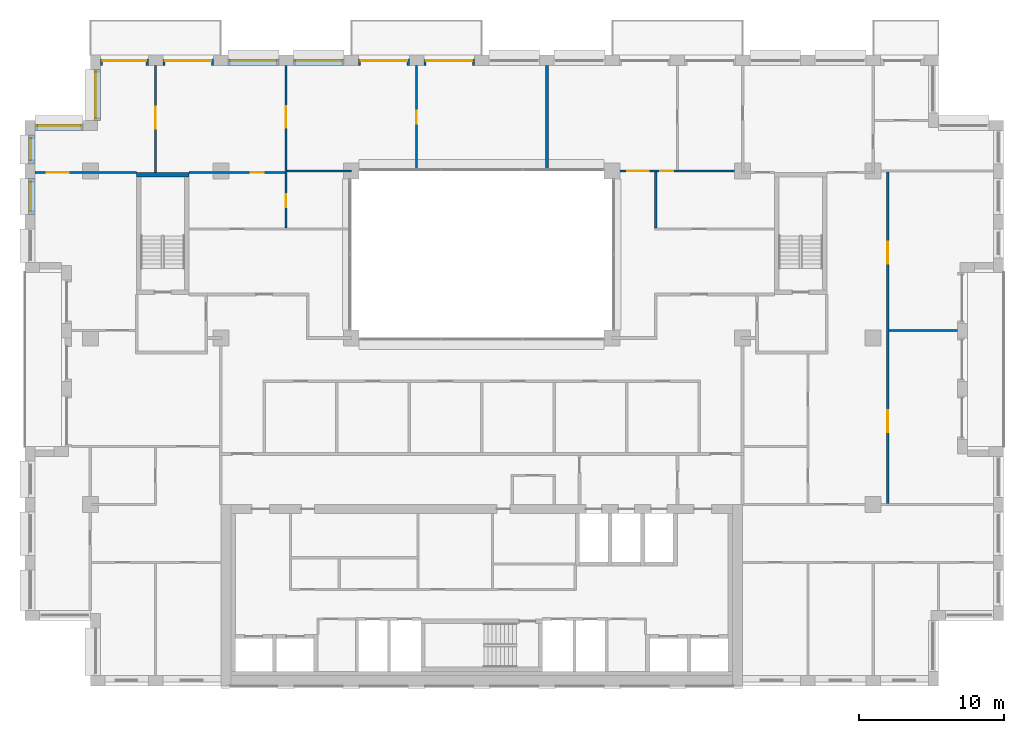
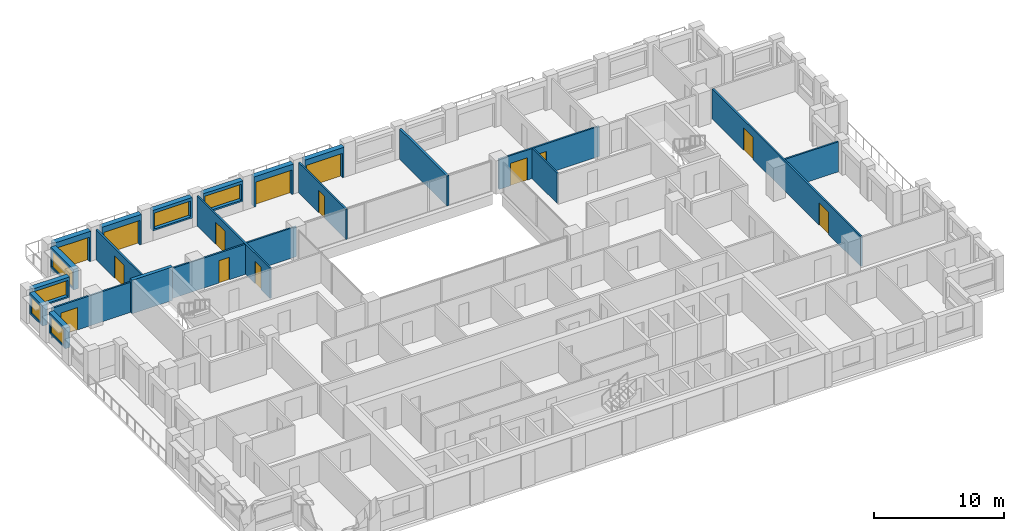
# One storey, part 12 of 15: 22 walls, 14 doors, 6 windows, 20 openings.
"""IFC4 building model written with IfcOpenShell, lengths in metres."""

from ifc_helpers import new_model, si_unit, direction, frame, frame_2d, origin, place, context, subcontext, project, spatial, rectangle, extrude, material, layer, layer_set, type_object, element, fill, save


model = new_model("IFC4")

# Units and contexts
model_context = context("Model", 3, precision=1e-05, world=origin(), true_north=direction((0.0, 1.0)))
body_context = subcontext(model_context, "Body", "Model", "MODEL_VIEW")
ifc_project = project(units=[si_unit("LENGTHUNIT", "METRE"), si_unit("AREAUNIT", "SQUARE_METRE"), si_unit("VOLUMEUNIT", "CUBIC_METRE"), si_unit("PLANEANGLEUNIT", "RADIAN"), si_unit("MASSUNIT", "GRAM", prefix="KILO")], contexts=[model_context])

# Site, building, storey
site_placement = place(None, origin())
site = spatial("IfcSite", under=ifc_project, at=site_placement, CompositionType="ELEMENT")
building_placement = place(site_placement, origin())
building = spatial("IfcBuilding", under=site, at=building_placement, Name="Brigalow Station Residences", CompositionType="ELEMENT")
storey_placement = place(building_placement, frame((0.0, 0.0, 157.050048828125)))
storey = spatial("IfcBuildingStorey", under=building, at=storey_placement, Name="L45", CompositionType="ELEMENT", Elevation=157.050048828125)

# Wall, opening, door
ifc_material_1 = material(Name="Clay brick masonry", Category="masonry")
ifc_layer_1 = layer(ifc_material_1, 0.449951171875)
ifc_layer_set_1 = layer_set([ifc_layer_1], Name="BRICK INFILL WALL 450")
wall_type_1 = type_object("IfcWallType", Name="BRICK INFILL WALL 450", PredefinedType="SOLIDWALL", material=ifc_layer_set_1)
wall_1_placement = place(storey_placement, frame((35.5, 43.02490234375, 0.0), z_axis=(0.0, 0.0, 1.0), x_axis=(-1.0, 0.0, 0.0)))
wall_1 = element("IfcWall", 1, at=wall_1_placement, inside=storey, type_object=wall_type_1, Name="L45/ewall/W-L45-29", PredefinedType="SOLIDWALL", context=body_context, shape_type="SweptSolid", body=[
    extrude(rectangle(XDim=3.5, YDim=0.449951171875, at=frame_2d((1.75, 0.0))), origin(), (0.0, 0.0, 1.0), 2.829833984375),
])
opening_1_placement = place(wall_1_placement, frame((0.14990234375, 0.0, 0.0)))
opening_1 = element("IfcOpeningElement", 2, at=opening_1_placement, cuts=wall_1, Name="Opening D-B3200", PredefinedType="OPENING", context=body_context, shape_type="SweptSolid", body=[
    extrude(rectangle(XDim=3.199951171875, YDim=2.300048828125, at=frame_2d((1.60009765625, 1.14990234375))), frame((0.0, 0.23486328125, 0.0), z_axis=(0.0, -1.0, 0.0), x_axis=(1.0, 0.0, 0.0)), (0.0, 0.0, 1.0), 0.469970703125),
])
ifc_material_2 = material(Name="Anodised aluminium frame with double glazing", Category="aluminium")
door_type_1 = type_object("IfcDoorType", Name="BALCONY SLIDING DOOR 3200x2300", OperationType="SLIDING_TO_LEFT", PredefinedType="DOOR", material=ifc_material_2)
door_1_placement = place(opening_1_placement, origin())
door_1 = element("IfcDoor", 3, at=door_1_placement, inside=storey, type_object=door_type_1, Name="L45/balcony-door/W-L45-29", OperationType="SLIDING_TO_LEFT", OverallHeight=2.300048828125, OverallWidth=3.199951171875, PredefinedType="DOOR", context=body_context, shape_type="SweptSolid", body=[
    extrude(rectangle(XDim=3.199951171875, YDim=2.300048828125, at=frame_2d((1.60009765625, 1.14990234375))), frame((0.0, -0.06982421875, 0.0), z_axis=(0.0, -1.0, 0.0), x_axis=(1.0, 0.0, 0.0)), (0.0, 0.0, 1.0), 0.050048828125),
])
fill(opening_1, door_1)

wall_2_placement = place(storey_placement, frame((31.0, 43.02490234375, 0.0), z_axis=(0.0, 0.0, 1.0), x_axis=(-1.0, 0.0, 0.0)))
wall_2 = element("IfcWall", 4, at=wall_2_placement, inside=storey, type_object=wall_type_1, Name="L45/ewall/W-L45-30", PredefinedType="SOLIDWALL", context=body_context, shape_type="SweptSolid", body=[
    extrude(rectangle(XDim=3.5, YDim=0.449951171875, at=frame_2d((1.75, 0.0))), origin(), (0.0, 0.0, 1.0), 2.829833984375),
])
opening_2_placement = place(wall_2_placement, frame((0.14990234375, 0.0, 0.0)))
opening_2 = element("IfcOpeningElement", 5, at=opening_2_placement, cuts=wall_2, Name="Opening D-B3200", PredefinedType="OPENING", context=body_context, shape_type="SweptSolid", body=[
    extrude(rectangle(XDim=3.199951171875, YDim=2.300048828125, at=frame_2d((1.60009765625, 1.14990234375))), frame((0.0, 0.23486328125, 0.0), z_axis=(0.0, -1.0, 0.0), x_axis=(1.0, 0.0, 0.0)), (0.0, 0.0, 1.0), 0.469970703125),
])
door_2_placement = place(opening_2_placement, origin())
door_2 = element("IfcDoor", 6, at=door_2_placement, inside=storey, type_object=door_type_1, Name="L45/balcony-door/W-L45-30", OperationType="SLIDING_TO_LEFT", OverallHeight=2.300048828125, OverallWidth=3.199951171875, PredefinedType="DOOR", context=body_context, shape_type="SweptSolid", body=[
    extrude(rectangle(XDim=3.199951171875, YDim=2.300048828125, at=frame_2d((1.60009765625, 1.14990234375))), frame((0.0, -0.06982421875, 0.0), z_axis=(0.0, -1.0, 0.0), x_axis=(1.0, 0.0, 0.0)), (0.0, 0.0, 1.0), 0.050048828125),
])
fill(opening_2, door_2)

# Wall, opening, window
wall_3_placement = place(storey_placement, frame((26.5, 43.02490234375, 0.89990234375), z_axis=(0.0, 0.0, 1.0), x_axis=(-1.0, 0.0, 0.0)))
wall_3 = element("IfcWall", 7, at=wall_3_placement, inside=storey, type_object=wall_type_1, Name="L45/ewall/W-L45-31", PredefinedType="SOLIDWALL", context=body_context, shape_type="SweptSolid", body=[
    extrude(rectangle(XDim=3.5, YDim=0.449951171875, at=frame_2d((1.75, 0.0))), origin(), (0.0, 0.0, 1.0), 1.929931640625),
])
opening_3_placement = place(wall_3_placement, frame((0.14990234375, 0.0, 0.14990234375)))
opening_3 = element("IfcOpeningElement", 8, at=opening_3_placement, cuts=wall_3, Name="Opening WT-9", PredefinedType="OPENING", context=body_context, shape_type="SweptSolid", body=[
    extrude(rectangle(XDim=3.199951171875, YDim=1.5, at=frame_2d((1.60009765625, 0.75))), frame((0.0, 0.23486328125, 0.0), z_axis=(0.0, -1.0, 0.0), x_axis=(1.0, 0.0, 0.0)), (0.0, 0.0, 1.0), 0.469970703125),
])
ifc_material_3 = material(Name="Anodised aluminium frame with double glazing", Category="aluminium")
window_type_1 = type_object("IfcWindowType", Name="WINDOW 3200x1500", PartitioningType="SINGLE_PANEL", PredefinedType="WINDOW", material=ifc_material_3)
window_1_placement = place(opening_3_placement, origin())
window_1 = element("IfcWindow", 9, at=window_1_placement, inside=storey, type_object=window_type_1, Name="L45/window/W-L45-31", OverallHeight=1.5, OverallWidth=3.199951171875, PartitioningType="SINGLE_PANEL", PredefinedType="WINDOW", context=body_context, shape_type="SweptSolid", body=[
    extrude(rectangle(XDim=3.199951171875, YDim=1.5, at=frame_2d((1.60009765625, 0.75))), frame((0.0, -0.06494140625, 0.0), z_axis=(0.0, -1.0, 0.0), x_axis=(1.0, 0.0, 0.0)), (0.0, 0.0, 1.0), 0.06005859375),
])
fill(opening_3, window_1)

wall_4_placement = place(storey_placement, frame((22.0, 43.02490234375, 0.89990234375), z_axis=(0.0, 0.0, 1.0), x_axis=(-1.0, 0.0, 0.0)))
wall_4 = element("IfcWall", 10, at=wall_4_placement, inside=storey, type_object=wall_type_1, Name="L45/ewall/W-L45-32", PredefinedType="SOLIDWALL", context=body_context, shape_type="SweptSolid", body=[
    extrude(rectangle(XDim=3.5, YDim=0.449951171875, at=frame_2d((1.75, 0.0))), origin(), (0.0, 0.0, 1.0), 1.929931640625),
])
opening_4_placement = place(wall_4_placement, frame((0.14990234375, 0.0, 0.14990234375)))
opening_4 = element("IfcOpeningElement", 11, at=opening_4_placement, cuts=wall_4, Name="Opening WT-9", PredefinedType="OPENING", context=body_context, shape_type="SweptSolid", body=[
    extrude(rectangle(XDim=3.199951171875, YDim=1.5, at=frame_2d((1.60009765625, 0.75))), frame((0.0, 0.23486328125, 0.0), z_axis=(0.0, -1.0, 0.0), x_axis=(1.0, 0.0, 0.0)), (0.0, 0.0, 1.0), 0.469970703125),
])
window_2_placement = place(opening_4_placement, origin())
window_2 = element("IfcWindow", 12, at=window_2_placement, inside=storey, type_object=window_type_1, Name="L45/window/W-L45-32", OverallHeight=1.5, OverallWidth=3.199951171875, PartitioningType="SINGLE_PANEL", PredefinedType="WINDOW", context=body_context, shape_type="SweptSolid", body=[
    extrude(rectangle(XDim=3.199951171875, YDim=1.5, at=frame_2d((1.60009765625, 0.75))), frame((0.0, -0.06494140625, 0.0), z_axis=(0.0, -1.0, 0.0), x_axis=(1.0, 0.0, 0.0)), (0.0, 0.0, 1.0), 0.06005859375),
])
fill(opening_4, window_2)

# Wall, opening, door
wall_5_placement = place(storey_placement, frame((17.5, 43.02490234375, 0.0), z_axis=(0.0, 0.0, 1.0), x_axis=(-1.0, 0.0, 0.0)))
wall_5 = element("IfcWall", 13, at=wall_5_placement, inside=storey, type_object=wall_type_1, Name="L45/ewall/W-L45-33", PredefinedType="SOLIDWALL", context=body_context, shape_type="SweptSolid", body=[
    extrude(rectangle(XDim=3.5, YDim=0.449951171875, at=frame_2d((1.75, 0.0))), origin(), (0.0, 0.0, 1.0), 2.829833984375),
])
opening_5_placement = place(wall_5_placement, frame((0.14990234375, 0.0, 0.0)))
opening_5 = element("IfcOpeningElement", 14, at=opening_5_placement, cuts=wall_5, Name="Opening D-B3200", PredefinedType="OPENING", context=body_context, shape_type="SweptSolid", body=[
    extrude(rectangle(XDim=3.199951171875, YDim=2.300048828125, at=frame_2d((1.60009765625, 1.14990234375))), frame((0.0, 0.23486328125, 0.0), z_axis=(0.0, -1.0, 0.0), x_axis=(1.0, 0.0, 0.0)), (0.0, 0.0, 1.0), 0.469970703125),
])
door_3_placement = place(opening_5_placement, origin())
door_3 = element("IfcDoor", 15, at=door_3_placement, inside=storey, type_object=door_type_1, Name="L45/balcony-door/W-L45-33", OperationType="SLIDING_TO_LEFT", OverallHeight=2.300048828125, OverallWidth=3.199951171875, PredefinedType="DOOR", context=body_context, shape_type="SweptSolid", body=[
    extrude(rectangle(XDim=3.199951171875, YDim=2.300048828125, at=frame_2d((1.60009765625, 1.14990234375))), frame((0.0, -0.06982421875, 0.0), z_axis=(0.0, -1.0, 0.0), x_axis=(1.0, 0.0, 0.0)), (0.0, 0.0, 1.0), 0.050048828125),
])
fill(opening_5, door_3)

wall_6_placement = place(storey_placement, frame((13.0, 43.02490234375, 0.0), z_axis=(0.0, 0.0, 1.0), x_axis=(-1.0, 0.0, 0.0)))
wall_6 = element("IfcWall", 16, at=wall_6_placement, inside=storey, type_object=wall_type_1, Name="L45/ewall/W-L45-34", PredefinedType="SOLIDWALL", context=body_context, shape_type="SweptSolid", body=[
    extrude(rectangle(XDim=3.300048828125, YDim=0.449951171875, at=frame_2d((1.64990234375, 0.0))), origin(), (0.0, 0.0, 1.0), 2.829833984375),
])
opening_6_placement = place(wall_6_placement, frame((0.14990234375, 0.0, 0.0)))
opening_6 = element("IfcOpeningElement", 17, at=opening_6_placement, cuts=wall_6, Name="Opening D-B3000", PredefinedType="OPENING", context=body_context, shape_type="SweptSolid", body=[
    extrude(rectangle(XDim=3.0, YDim=2.300048828125, at=frame_2d((1.5, 1.14990234375))), frame((0.0, 0.23486328125, 0.0), z_axis=(0.0, -1.0, 0.0), x_axis=(1.0, 0.0, 0.0)), (0.0, 0.0, 1.0), 0.469970703125),
])
ifc_material_4 = material(Name="Anodised aluminium frame with double glazing", Category="aluminium")
door_type_2 = type_object("IfcDoorType", Name="BALCONY SLIDING DOOR 3000x2300", OperationType="SLIDING_TO_LEFT", PredefinedType="DOOR", material=ifc_material_4)
door_4_placement = place(opening_6_placement, origin())
door_4 = element("IfcDoor", 18, at=door_4_placement, inside=storey, type_object=door_type_2, Name="L45/balcony-door/W-L45-34", OperationType="SLIDING_TO_LEFT", OverallHeight=2.300048828125, OverallWidth=3.0, PredefinedType="DOOR", context=body_context, shape_type="SweptSolid", body=[
    extrude(rectangle(XDim=3.0, YDim=2.300048828125, at=frame_2d((1.5, 1.14990234375))), frame((0.0, -0.06982421875, 0.0), z_axis=(0.0, -1.0, 0.0), x_axis=(1.0, 0.0, 0.0)), (0.0, 0.0, 1.0), 0.050048828125),
])
fill(opening_6, door_4)

# Wall, opening, window
wall_7_placement = place(storey_placement, frame((9.47509765625, 42.5, 0.89990234375), z_axis=(0.0, 0.0, 1.0), x_axis=(0.0, -1.0, 0.0)))
wall_7 = element("IfcWall", 19, at=wall_7_placement, inside=storey, type_object=wall_type_1, Name="L45/ewall/W-L45-35", PredefinedType="SOLIDWALL", context=body_context, shape_type="SweptSolid", body=[
    extrude(rectangle(XDim=3.5, YDim=0.449951171875, at=frame_2d((1.75, 0.0))), origin(), (0.0, 0.0, 1.0), 1.929931640625),
])
opening_7_placement = place(wall_7_placement, frame((0.14990234375, 0.0, 0.14990234375)))
opening_7 = element("IfcOpeningElement", 20, at=opening_7_placement, cuts=wall_7, Name="Opening WT-9", PredefinedType="OPENING", context=body_context, shape_type="SweptSolid", body=[
    extrude(rectangle(XDim=3.199951171875, YDim=1.5, at=frame_2d((1.60009765625, 0.75))), frame((0.0, 0.23486328125, 0.0), z_axis=(0.0, -1.0, 0.0), x_axis=(1.0, 0.0, 0.0)), (0.0, 0.0, 1.0), 0.469970703125),
])
window_3_placement = place(opening_7_placement, origin())
window_3 = element("IfcWindow", 21, at=window_3_placement, inside=storey, type_object=window_type_1, Name="L45/window/W-L45-35", OverallHeight=1.5, OverallWidth=3.199951171875, PartitioningType="SINGLE_PANEL", PredefinedType="WINDOW", context=body_context, shape_type="SweptSolid", body=[
    extrude(rectangle(XDim=3.199951171875, YDim=1.5, at=frame_2d((1.60009765625, 0.75))), frame((0.0, -0.06494140625, 0.0), z_axis=(0.0, -1.0, 0.0), x_axis=(1.0, 0.0, 0.0)), (0.0, 0.0, 1.0), 0.06005859375),
])
fill(opening_7, window_3)

wall_8_placement = place(storey_placement, frame((8.5, 38.52490234375, 0.89990234375), z_axis=(0.0, 0.0, 1.0), x_axis=(-1.0, 0.0, 0.0)))
wall_8 = element("IfcWall", 22, at=wall_8_placement, inside=storey, type_object=wall_type_1, Name="L45/ewall/W-L45-36", PredefinedType="SOLIDWALL", context=body_context, shape_type="SweptSolid", body=[
    extrude(rectangle(XDim=3.300048828125, YDim=0.449951171875, at=frame_2d((1.64990234375, 0.0))), origin(), (0.0, 0.0, 1.0), 1.929931640625),
])
opening_8_placement = place(wall_8_placement, frame((0.14990234375, 0.0, 0.14990234375)))
opening_8 = element("IfcOpeningElement", 23, at=opening_8_placement, cuts=wall_8, Name="Opening WT-2", PredefinedType="OPENING", context=body_context, shape_type="SweptSolid", body=[
    extrude(rectangle(XDim=3.0, YDim=1.5, at=frame_2d((1.5, 0.75))), frame((0.0, 0.23486328125, 0.0), z_axis=(0.0, -1.0, 0.0), x_axis=(1.0, 0.0, 0.0)), (0.0, 0.0, 1.0), 0.469970703125),
])
ifc_material_5 = material(Name="Anodised aluminium frame with double glazing", Category="aluminium")
window_type_2 = type_object("IfcWindowType", Name="WINDOW 3000x1500", PartitioningType="SINGLE_PANEL", PredefinedType="WINDOW", material=ifc_material_5)
window_4_placement = place(opening_8_placement, origin())
window_4 = element("IfcWindow", 24, at=window_4_placement, inside=storey, type_object=window_type_2, Name="L45/window/W-L45-36", OverallHeight=1.5, OverallWidth=3.0, PartitioningType="SINGLE_PANEL", PredefinedType="WINDOW", context=body_context, shape_type="SweptSolid", body=[
    extrude(rectangle(XDim=3.0, YDim=1.5, at=frame_2d((1.5, 0.75))), frame((0.0, -0.06494140625, 0.0), z_axis=(0.0, -1.0, 0.0), x_axis=(1.0, 0.0, 0.0)), (0.0, 0.0, 1.0), 0.06005859375),
])
fill(opening_8, window_4)

wall_9_placement = place(storey_placement, frame((4.97509765625, 38.0, 0.89990234375), z_axis=(0.0, 0.0, 1.0), x_axis=(0.0, -1.0, 0.0)))
wall_9 = element("IfcWall", 25, at=wall_9_placement, inside=storey, type_object=wall_type_1, Name="L45/ewall/W-L45-37", PredefinedType="SOLIDWALL", context=body_context, shape_type="SweptSolid", body=[
    extrude(rectangle(XDim=2.0, YDim=0.449951171875, at=frame_2d((1.0, 0.0))), origin(), (0.0, 0.0, 1.0), 1.929931640625),
])
opening_9_placement = place(wall_9_placement, frame((0.25, 0.0, 0.14990234375)))
opening_9 = element("IfcOpeningElement", 26, at=opening_9_placement, cuts=wall_9, Name="Opening WT-1", PredefinedType="OPENING", context=body_context, shape_type="SweptSolid", body=[
    extrude(rectangle(XDim=1.5, YDim=1.5, at=frame_2d((0.75, 0.75))), frame((0.0, 0.23486328125, 0.0), z_axis=(0.0, -1.0, 0.0), x_axis=(1.0, 0.0, 0.0)), (0.0, 0.0, 1.0), 0.469970703125),
])
ifc_material_6 = material(Name="Anodised aluminium frame with double glazing", Category="aluminium")
window_type_3 = type_object("IfcWindowType", Name="WINDOW 1500x1500", PartitioningType="SINGLE_PANEL", PredefinedType="WINDOW", material=ifc_material_6)
window_5_placement = place(opening_9_placement, origin())
window_5 = element("IfcWindow", 27, at=window_5_placement, inside=storey, type_object=window_type_3, Name="L45/window/W-L45-37", OverallHeight=1.5, OverallWidth=1.5, PartitioningType="SINGLE_PANEL", PredefinedType="WINDOW", context=body_context, shape_type="SweptSolid", body=[
    extrude(rectangle(XDim=1.5, YDim=1.5, at=frame_2d((0.75, 0.75))), frame((0.0, -0.06494140625, 0.0), z_axis=(0.0, -1.0, 0.0), x_axis=(1.0, 0.0, 0.0)), (0.0, 0.0, 1.0), 0.06005859375),
])
fill(opening_9, window_5)

wall_10_placement = place(storey_placement, frame((4.97509765625, 35.0, 0.89990234375), z_axis=(0.0, 0.0, 1.0), x_axis=(0.0, -1.0, 0.0)))
wall_10 = element("IfcWall", 28, at=wall_10_placement, inside=storey, type_object=wall_type_1, Name="L45/ewall/W-L45-38", PredefinedType="SOLIDWALL", context=body_context, shape_type="SweptSolid", body=[
    extrude(rectangle(XDim=2.5, YDim=0.449951171875, at=frame_2d((1.25, 0.0))), origin(), (0.0, 0.0, 1.0), 1.929931640625),
])
opening_10_placement = place(wall_10_placement, frame((0.25, 0.0, 0.14990234375)))
opening_10 = element("IfcOpeningElement", 29, at=opening_10_placement, cuts=wall_10, Name="Opening WT-7", PredefinedType="OPENING", context=body_context, shape_type="SweptSolid", body=[
    extrude(rectangle(XDim=2.0, YDim=1.5, at=frame_2d((1.0, 0.75))), frame((0.0, 0.23486328125, 0.0), z_axis=(0.0, -1.0, 0.0), x_axis=(1.0, 0.0, 0.0)), (0.0, 0.0, 1.0), 0.469970703125),
])
ifc_material_7 = material(Name="Anodised aluminium frame with double glazing", Category="aluminium")
window_type_4 = type_object("IfcWindowType", Name="WINDOW 2000x1500", PartitioningType="SINGLE_PANEL", PredefinedType="WINDOW", material=ifc_material_7)
window_6_placement = place(opening_10_placement, origin())
window_6 = element("IfcWindow", 30, at=window_6_placement, inside=storey, type_object=window_type_4, Name="L45/window/W-L45-38", OverallHeight=1.5, OverallWidth=2.0, PartitioningType="SINGLE_PANEL", PredefinedType="WINDOW", context=body_context, shape_type="SweptSolid", body=[
    extrude(rectangle(XDim=2.0, YDim=1.5, at=frame_2d((1.0, 0.75))), frame((0.0, -0.06494140625, 0.0), z_axis=(0.0, -1.0, 0.0), x_axis=(1.0, 0.0, 0.0)), (0.0, 0.0, 1.0), 0.06005859375),
])
fill(opening_10, window_6)

# Wall
ifc_material_8 = material(Name="Concrete C65", Category="concrete")
ifc_layer_2 = layer(ifc_material_8, 0.300048828125)
ifc_layer_set_2 = layer_set([ifc_layer_2], Name="CORE SHEAR WALL 300 C65")
wall_type_2 = type_object("IfcWallType", Name="CORE SHEAR WALL 300 C65", PredefinedType="SHEAR", material=ifc_layer_set_2)
wall_11_placement = place(storey_placement, frame((12.199951171875, 35.25, 0.0), z_axis=(0.0, 0.0, 1.0), x_axis=(1.0, 0.0, 0.0)))
element("IfcWall", 31, at=wall_11_placement, inside=storey, type_object=wall_type_2, Name="CORE WALL ST-S1-N L45", PredefinedType="SHEAR", context=body_context, shape_type="SweptSolid", body=[
    extrude(rectangle(XDim=3.60009765625, YDim=0.300048828125, at=frame_2d((1.800048828125, 0.0))), origin(), (0.0, 0.0, 1.0), 3.14990234375),
])

# Wall, opening, door
ifc_material_9 = material(Name="Plasterboard on steel stud partition", Category="steel")
ifc_layer_3 = layer(ifc_material_9, 0.14990234375)
ifc_layer_set_3 = layer_set([ifc_layer_3], Name="FLAT PARTITION 150")
wall_type_3 = type_object("IfcWallType", Name="FLAT PARTITION 150", PredefinedType="PARTITIONING", material=ifc_layer_set_3)
wall_12_placement = place(storey_placement, frame((5.199951171875, 35.39990234375, 0.0), z_axis=(0.0, 0.0, 1.0), x_axis=(1.0, 0.0, 0.0)))
wall_12 = element("IfcWall", 32, at=wall_12_placement, inside=storey, type_object=wall_type_3, Name="PW-3B10", PredefinedType="PARTITIONING", context=body_context, shape_type="SweptSolid", body=[
    extrude(rectangle(XDim=7.0, YDim=0.14990234375, at=frame_2d((3.5, 0.0))), origin(), (0.0, 0.0, 1.0), 2.829833984375),
])
opening_11_placement = place(wall_12_placement, frame((0.800048828125, 0.0, 0.0)))
opening_11 = element("IfcOpeningElement", 33, at=opening_11_placement, cuts=wall_12, Name="Opening D-3B10", PredefinedType="OPENING", context=body_context, shape_type="SweptSolid", body=[
    extrude(rectangle(XDim=1.5, YDim=2.10009765625, at=frame_2d((0.75, 1.050048828125))), frame((0.0, 0.0849609375, 0.0), z_axis=(0.0, -1.0, 0.0), x_axis=(1.0, 0.0, 0.0)), (0.0, 0.0, 1.0), 0.169921875),
])
ifc_material_10 = material(Name="Solid-core timber door leaf", Category="wood")
door_type_3 = type_object("IfcDoorType", Name="INTERNAL DOUBLE DOOR 1500 x 2100", OperationType="DOUBLE_DOOR_SINGLE_SWING", PredefinedType="DOOR", material=ifc_material_10)
door_5_placement = place(opening_11_placement, origin())
door_5 = element("IfcDoor", 34, at=door_5_placement, inside=storey, type_object=door_type_3, Name="D-3B10", OperationType="DOUBLE_DOOR_SINGLE_SWING", OverallHeight=2.10009765625, OverallWidth=1.5, PredefinedType="DOOR", context=body_context, shape_type="SweptSolid", body=[
    extrude(rectangle(XDim=1.5, YDim=2.10009765625, at=frame_2d((0.75, 1.050048828125))), frame((0.0, 0.02490234375, 0.0), z_axis=(0.0, -1.0, 0.0), x_axis=(1.0, 0.0, 0.0)), (0.0, 0.0, 1.0), 0.050048828125),
])
fill(opening_11, door_5)

wall_13_placement = place(storey_placement, frame((15.800048828125, 35.39990234375, 0.0), z_axis=(0.0, 0.0, 1.0), x_axis=(1.0, 0.0, 0.0)))
wall_13 = element("IfcWall", 35, at=wall_13_placement, inside=storey, type_object=wall_type_3, Name="PW-3B11", PredefinedType="PARTITIONING", context=body_context, shape_type="SweptSolid", body=[
    extrude(rectangle(XDim=6.625, YDim=0.14990234375, at=frame_2d((3.3125, 0.0))), origin(), (0.0, 0.0, 1.0), 2.829833984375),
])
opening_12_placement = place(wall_13_placement, frame((4.27490234375, 0.0, 0.0)))
opening_12 = element("IfcOpeningElement", 36, at=opening_12_placement, cuts=wall_13, Name="Opening D-3B06", PredefinedType="OPENING", context=body_context, shape_type="SweptSolid", body=[
    extrude(rectangle(XDim=0.89990234375, YDim=2.10009765625, at=frame_2d((0.449951171875, 1.050048828125))), frame((0.0, 0.0849609375, 0.0), z_axis=(0.0, -1.0, 0.0), x_axis=(1.0, 0.0, 0.0)), (0.0, 0.0, 1.0), 0.169921875),
])
ifc_material_11 = material(Name="Solid-core timber door leaf", Category="wood")
door_type_4 = type_object("IfcDoorType", Name="INTERNAL DOOR 900 x 2100", OperationType="SINGLE_SWING_LEFT", PredefinedType="DOOR", material=ifc_material_11)
door_6_placement = place(opening_12_placement, frame((0.89990234375, 0.0, 0.0), z_axis=(0.0, 0.0, 1.0), x_axis=(-1.0, 0.0, 0.0)))
door_6 = element("IfcDoor", 37, at=door_6_placement, inside=storey, type_object=door_type_4, Name="D-3B06", OperationType="SINGLE_SWING_LEFT", OverallHeight=2.10009765625, OverallWidth=0.89990234375, PredefinedType="DOOR", context=body_context, shape_type="SweptSolid", body=[
    extrude(rectangle(XDim=0.89990234375, YDim=2.10009765625, at=frame_2d((0.449951171875, 1.050048828125))), frame((0.0, 0.02490234375, 0.0), z_axis=(0.0, -1.0, 0.0), x_axis=(1.0, 0.0, 0.0)), (0.0, 0.0, 1.0), 0.050048828125),
])
fill(opening_12, door_6)

# Wall
wall_14_placement = place(storey_placement, frame((22.574951171875, 35.5, 0.0), z_axis=(0.0, 0.0, 1.0), x_axis=(1.0, 0.0, 0.0)))
element("IfcWall", 38, at=wall_14_placement, inside=storey, type_object=wall_type_3, Name="PW-3B14", PredefinedType="PARTITIONING", context=body_context, shape_type="SweptSolid", body=[
    extrude(rectangle(XDim=4.425048828125, YDim=0.14990234375, at=frame_2d((2.21240234375, 0.0))), origin(), (0.0, 0.0, 1.0), 2.829833984375),
])

# Wall, openings, doors
wall_15_placement = place(storey_placement, frame((45.0, 35.5, 0.0), z_axis=(0.0, 0.0, 1.0), x_axis=(1.0, 0.0, 0.0)))
wall_15 = element("IfcWall", 39, at=wall_15_placement, inside=storey, type_object=wall_type_3, Name="PW-3B15", PredefinedType="PARTITIONING", context=body_context, shape_type="SweptSolid", body=[
    extrude(rectangle(XDim=8.925048828125, YDim=0.14990234375, at=frame_2d((4.46240234375, 0.0))), origin(), (0.0, 0.0, 1.0), 2.829833984375),
])
opening_13_placement = place(wall_15_placement, frame((3.300048828125, 0.0, 0.0)))
opening_13 = element("IfcOpeningElement", 40, at=opening_13_placement, cuts=wall_15, Name="Opening D-3B19", PredefinedType="OPENING", context=body_context, shape_type="SweptSolid", body=[
    extrude(rectangle(XDim=0.89990234375, YDim=2.10009765625, at=frame_2d((0.449951171875, 1.050048828125))), frame((0.0, 0.0849609375, 0.0), z_axis=(0.0, -1.0, 0.0), x_axis=(1.0, 0.0, 0.0)), (0.0, 0.0, 1.0), 0.169921875),
])
opening_14_placement = place(wall_15_placement, frame((1.02490234375, 0.0, 0.0)))
opening_14 = element("IfcOpeningElement", 41, at=opening_14_placement, cuts=wall_15, Name="Opening D-3B21", PredefinedType="OPENING", context=body_context, shape_type="SweptSolid", body=[
    extrude(rectangle(XDim=1.5, YDim=2.10009765625, at=frame_2d((0.75, 1.050048828125))), frame((0.0, 0.0849609375, 0.0), z_axis=(0.0, -1.0, 0.0), x_axis=(1.0, 0.0, 0.0)), (0.0, 0.0, 1.0), 0.169921875),
])
door_7_placement = place(opening_13_placement, frame((0.89990234375, 0.0, 0.0), z_axis=(0.0, 0.0, 1.0), x_axis=(-1.0, 0.0, 0.0)))
door_7 = element("IfcDoor", 42, at=door_7_placement, inside=storey, type_object=door_type_4, Name="D-3B19", OperationType="SINGLE_SWING_RIGHT", OverallHeight=2.10009765625, OverallWidth=0.89990234375, PredefinedType="DOOR", context=body_context, shape_type="SweptSolid", body=[
    extrude(rectangle(XDim=0.89990234375, YDim=2.10009765625, at=frame_2d((0.449951171875, 1.050048828125))), frame((0.0, 0.02490234375, 0.0), z_axis=(0.0, -1.0, 0.0), x_axis=(1.0, 0.0, 0.0)), (0.0, 0.0, 1.0), 0.050048828125),
])
fill(opening_13, door_7)
door_8_placement = place(opening_14_placement, origin())
door_8 = element("IfcDoor", 43, at=door_8_placement, inside=storey, type_object=door_type_3, Name="D-3B21", OperationType="DOUBLE_DOOR_SINGLE_SWING", OverallHeight=2.10009765625, OverallWidth=1.5, PredefinedType="DOOR", context=body_context, shape_type="SweptSolid", body=[
    extrude(rectangle(XDim=1.5, YDim=2.10009765625, at=frame_2d((0.75, 1.050048828125))), frame((0.0, 0.02490234375, 0.0), z_axis=(0.0, -1.0, 0.0), x_axis=(1.0, 0.0, 0.0)), (0.0, 0.0, 1.0), 0.050048828125),
])
fill(opening_14, door_8)

# Walls
wall_16_placement = place(storey_placement, frame((64.074951171875, 24.5, 0.0), z_axis=(0.0, 0.0, 1.0), x_axis=(1.0, 0.0, 0.0)))
element("IfcWall", 44, at=wall_16_placement, inside=storey, type_object=wall_type_3, Name="PW-3B18", PredefinedType="PARTITIONING", context=body_context, shape_type="SweptSolid", body=[
    extrude(rectangle(XDim=4.72509765625, YDim=0.14990234375, at=frame_2d((2.362548828125, 0.0))), origin(), (0.0, 0.0, 1.0), 2.829833984375),
])
wall_17_placement = place(storey_placement, frame((48.0, 31.574951171875, 0.0), z_axis=(0.0, 0.0, 1.0), x_axis=(0.0, 1.0, 0.0)))
element("IfcWall", 45, at=wall_17_placement, inside=storey, type_object=wall_type_3, Name="PW-3B33", PredefinedType="PARTITIONING", context=body_context, shape_type="SweptSolid", body=[
    extrude(rectangle(XDim=3.85009765625, YDim=0.14990234375, at=frame_2d((1.925048828125, 0.0))), origin(), (0.0, 0.0, 1.0), 2.829833984375),
])

# Wall, openings, doors
wall_18_placement = place(storey_placement, frame((22.5, 31.574951171875, 0.0), z_axis=(0.0, 0.0, 1.0), x_axis=(0.0, 1.0, 0.0)))
wall_18 = element("IfcWall", 46, at=wall_18_placement, inside=storey, type_object=wall_type_3, Name="PW-3B35", PredefinedType="PARTITIONING", context=body_context, shape_type="SweptSolid", body=[
    extrude(rectangle(XDim=11.22509765625, YDim=0.14990234375, at=frame_2d((5.612548828125, 0.0))), origin(), (0.0, 0.0, 1.0), 2.829833984375),
])
opening_15_placement = place(wall_18_placement, frame((1.425048828125, 0.0, 0.0)))
opening_15 = element("IfcOpeningElement", 47, at=opening_15_placement, cuts=wall_18, Name="Opening D-3B05", PredefinedType="OPENING", context=body_context, shape_type="SweptSolid", body=[
    extrude(rectangle(XDim=0.89990234375, YDim=2.10009765625, at=frame_2d((0.449951171875, 1.050048828125))), frame((0.0, 0.0849609375, 0.0), z_axis=(0.0, -1.0, 0.0), x_axis=(1.0, 0.0, 0.0)), (0.0, 0.0, 1.0), 0.169921875),
])
opening_16_placement = place(wall_18_placement, frame((6.89990234375, 0.0, 0.0)))
opening_16 = element("IfcOpeningElement", 48, at=opening_16_placement, cuts=wall_18, Name="Opening D-3B08", PredefinedType="OPENING", context=body_context, shape_type="SweptSolid", body=[
    extrude(rectangle(XDim=1.5, YDim=2.10009765625, at=frame_2d((0.75, 1.050048828125))), frame((0.0, 0.0849609375, 0.0), z_axis=(0.0, -1.0, 0.0), x_axis=(1.0, 0.0, 0.0)), (0.0, 0.0, 1.0), 0.169921875),
])
door_9_placement = place(opening_15_placement, frame((0.89990234375, 0.0, 0.0), z_axis=(0.0, 0.0, 1.0), x_axis=(-1.0, 0.0, 0.0)))
door_9 = element("IfcDoor", 49, at=door_9_placement, inside=storey, type_object=door_type_4, Name="D-3B05", OperationType="SINGLE_SWING_RIGHT", OverallHeight=2.10009765625, OverallWidth=0.89990234375, PredefinedType="DOOR", context=body_context, shape_type="SweptSolid", body=[
    extrude(rectangle(XDim=0.89990234375, YDim=2.10009765625, at=frame_2d((0.449951171875, 1.050048828125))), frame((0.0, 0.02490234375, 0.0), z_axis=(0.0, -1.0, 0.0), x_axis=(1.0, 0.0, 0.0)), (0.0, 0.0, 1.0), 0.050048828125),
])
fill(opening_15, door_9)
door_10_placement = place(opening_16_placement, frame((1.5, 0.0, 0.0), z_axis=(0.0, 0.0, 1.0), x_axis=(-1.0, 0.0, 0.0)))
door_10 = element("IfcDoor", 50, at=door_10_placement, inside=storey, type_object=door_type_3, Name="D-3B08", OperationType="DOUBLE_DOOR_SINGLE_SWING", OverallHeight=2.10009765625, OverallWidth=1.5, PredefinedType="DOOR", context=body_context, shape_type="SweptSolid", body=[
    extrude(rectangle(XDim=1.5, YDim=2.10009765625, at=frame_2d((0.75, 1.050048828125))), frame((0.0, 0.02490234375, 0.0), z_axis=(0.0, -1.0, 0.0), x_axis=(1.0, 0.0, 0.0)), (0.0, 0.0, 1.0), 0.050048828125),
])
fill(opening_16, door_10)

# Wall, opening, door
wall_19_placement = place(storey_placement, frame((13.5, 35.39990234375, 0.0), z_axis=(0.0, 0.0, 1.0), x_axis=(0.0, 1.0, 0.0)))
wall_19 = element("IfcWall", 51, at=wall_19_placement, inside=storey, type_object=wall_type_3, Name="PW-3B38", PredefinedType="PARTITIONING", context=body_context, shape_type="SweptSolid", body=[
    extrude(rectangle(XDim=7.400146484375, YDim=0.14990234375, at=frame_2d((3.7001953125, 0.0))), origin(), (0.0, 0.0, 1.0), 2.829833984375),
])
opening_17_placement = place(wall_19_placement, frame((3.02490234375, 0.0, 0.0)))
opening_17 = element("IfcOpeningElement", 52, at=opening_17_placement, cuts=wall_19, Name="Opening D-3B07", PredefinedType="OPENING", context=body_context, shape_type="SweptSolid", body=[
    extrude(rectangle(XDim=1.5, YDim=2.10009765625, at=frame_2d((0.75, 1.050048828125))), frame((0.0, 0.0849609375, 0.0), z_axis=(0.0, -1.0, 0.0), x_axis=(1.0, 0.0, 0.0)), (0.0, 0.0, 1.0), 0.169921875),
])
door_11_placement = place(opening_17_placement, origin())
door_11 = element("IfcDoor", 53, at=door_11_placement, inside=storey, type_object=door_type_3, Name="D-3B07", OperationType="DOUBLE_DOOR_SINGLE_SWING", OverallHeight=2.10009765625, OverallWidth=1.5, PredefinedType="DOOR", context=body_context, shape_type="SweptSolid", body=[
    extrude(rectangle(XDim=1.5, YDim=2.10009765625, at=frame_2d((0.75, 1.050048828125))), frame((0.0, 0.02490234375, 0.0), z_axis=(0.0, -1.0, 0.0), x_axis=(1.0, 0.0, 0.0)), (0.0, 0.0, 1.0), 0.050048828125),
])
fill(opening_17, door_11)

wall_20_placement = place(storey_placement, frame((31.5, 35.5, 0.0), z_axis=(0.0, 0.0, 1.0), x_axis=(0.0, 1.0, 0.0)))
wall_20 = element("IfcWall", 54, at=wall_20_placement, inside=storey, type_object=wall_type_3, Name="PW-3B40", PredefinedType="PARTITIONING", context=body_context, shape_type="SweptSolid", body=[
    extrude(rectangle(XDim=7.300048828125, YDim=0.14990234375, at=frame_2d((3.64990234375, 0.0))), origin(), (0.0, 0.0, 1.0), 2.829833984375),
])
opening_18_placement = place(wall_20_placement, frame((3.27490234375, 0.0, 0.0)))
opening_18 = element("IfcOpeningElement", 55, at=opening_18_placement, cuts=wall_20, Name="Opening D-3B09", PredefinedType="OPENING", context=body_context, shape_type="SweptSolid", body=[
    extrude(rectangle(XDim=0.89990234375, YDim=2.10009765625, at=frame_2d((0.449951171875, 1.050048828125))), frame((0.0, 0.0849609375, 0.0), z_axis=(0.0, -1.0, 0.0), x_axis=(1.0, 0.0, 0.0)), (0.0, 0.0, 1.0), 0.169921875),
])
door_12_placement = place(opening_18_placement, frame((0.89990234375, 0.0, 0.0), z_axis=(0.0, 0.0, 1.0), x_axis=(-1.0, 0.0, 0.0)))
door_12 = element("IfcDoor", 56, at=door_12_placement, inside=storey, type_object=door_type_4, Name="D-3B09", OperationType="SINGLE_SWING_LEFT", OverallHeight=2.10009765625, OverallWidth=0.89990234375, PredefinedType="DOOR", context=body_context, shape_type="SweptSolid", body=[
    extrude(rectangle(XDim=0.89990234375, YDim=2.10009765625, at=frame_2d((0.449951171875, 1.050048828125))), frame((0.0, 0.02490234375, 0.0), z_axis=(0.0, -1.0, 0.0), x_axis=(1.0, 0.0, 0.0)), (0.0, 0.0, 1.0), 0.050048828125),
])
fill(opening_18, door_12)

# Wall, openings, doors
wall_21_placement = place(storey_placement, frame((64.0, 12.574951171875, 0.0), z_axis=(0.0, 0.0, 1.0), x_axis=(0.0, 1.0, 0.0)))
wall_21 = element("IfcWall", 57, at=wall_21_placement, inside=storey, type_object=wall_type_3, Name="PW-3B45", PredefinedType="PARTITIONING", context=body_context, shape_type="SweptSolid", body=[
    extrude(rectangle(XDim=22.85009765625, YDim=0.14990234375, at=frame_2d((11.425048828125, 0.0))), origin(), (0.0, 0.0, 1.0), 2.829833984375),
])
opening_19_placement = place(wall_21_placement, frame((16.550048828125, 0.0, 0.0)))
opening_19 = element("IfcOpeningElement", 58, at=opening_19_placement, cuts=wall_21, Name="Opening D-3B27", PredefinedType="OPENING", context=body_context, shape_type="SweptSolid", body=[
    extrude(rectangle(XDim=1.5, YDim=2.10009765625, at=frame_2d((0.75, 1.050048828125))), frame((0.0, 0.0849609375, 0.0), z_axis=(0.0, -1.0, 0.0), x_axis=(1.0, 0.0, 0.0)), (0.0, 0.0, 1.0), 0.169921875),
])
opening_20_placement = place(wall_21_placement, frame((4.925048828125, 0.0, 0.0)))
opening_20 = element("IfcOpeningElement", 59, at=opening_20_placement, cuts=wall_21, Name="Opening D-3B28", PredefinedType="OPENING", context=body_context, shape_type="SweptSolid", body=[
    extrude(rectangle(XDim=1.5, YDim=2.10009765625, at=frame_2d((0.75, 1.050048828125))), frame((0.0, 0.0849609375, 0.0), z_axis=(0.0, -1.0, 0.0), x_axis=(1.0, 0.0, 0.0)), (0.0, 0.0, 1.0), 0.169921875),
])
door_13_placement = place(opening_19_placement, frame((1.5, 0.0, 0.0), z_axis=(0.0, 0.0, 1.0), x_axis=(-1.0, 0.0, 0.0)))
door_13 = element("IfcDoor", 60, at=door_13_placement, inside=storey, type_object=door_type_3, Name="D-3B27", OperationType="DOUBLE_DOOR_SINGLE_SWING", OverallHeight=2.10009765625, OverallWidth=1.5, PredefinedType="DOOR", context=body_context, shape_type="SweptSolid", body=[
    extrude(rectangle(XDim=1.5, YDim=2.10009765625, at=frame_2d((0.75, 1.050048828125))), frame((0.0, 0.02490234375, 0.0), z_axis=(0.0, -1.0, 0.0), x_axis=(1.0, 0.0, 0.0)), (0.0, 0.0, 1.0), 0.050048828125),
])
fill(opening_19, door_13)
door_14_placement = place(opening_20_placement, frame((1.5, 0.0, 0.0), z_axis=(0.0, 0.0, 1.0), x_axis=(-1.0, 0.0, 0.0)))
door_14 = element("IfcDoor", 61, at=door_14_placement, inside=storey, type_object=door_type_3, Name="D-3B28", OperationType="DOUBLE_DOOR_SINGLE_SWING", OverallHeight=2.10009765625, OverallWidth=1.5, PredefinedType="DOOR", context=body_context, shape_type="SweptSolid", body=[
    extrude(rectangle(XDim=1.5, YDim=2.10009765625, at=frame_2d((0.75, 1.050048828125))), frame((0.0, 0.02490234375, 0.0), z_axis=(0.0, -1.0, 0.0), x_axis=(1.0, 0.0, 0.0)), (0.0, 0.0, 1.0), 0.050048828125),
])
fill(opening_20, door_14)

# Wall
ifc_material_12 = material(Name="Plasterboard on steel stud partition", Category="steel")
ifc_layer_4 = layer(ifc_material_12, 0.199951171875)
ifc_layer_set_4 = layer_set([ifc_layer_4], Name="PARTY AND CORRIDOR WALL 200")
wall_type_4 = type_object("IfcWallType", Name="PARTY AND CORRIDOR WALL 200", PredefinedType="PARTITIONING", material=ifc_layer_set_4)
wall_22_placement = place(storey_placement, frame((40.5, 35.5, 0.0), z_axis=(0.0, 0.0, 1.0), x_axis=(0.0, 1.0, 0.0)))
element("IfcWall", 62, at=wall_22_placement, inside=storey, type_object=wall_type_4, Name="PW-3B41", PredefinedType="PARTITIONING", context=body_context, shape_type="SweptSolid", body=[
    extrude(rectangle(XDim=7.300048828125, YDim=0.199951171875, at=frame_2d((3.64990234375, 0.0))), origin(), (0.0, 0.0, 1.0), 2.829833984375),
])

save(model, "model.ifc")
